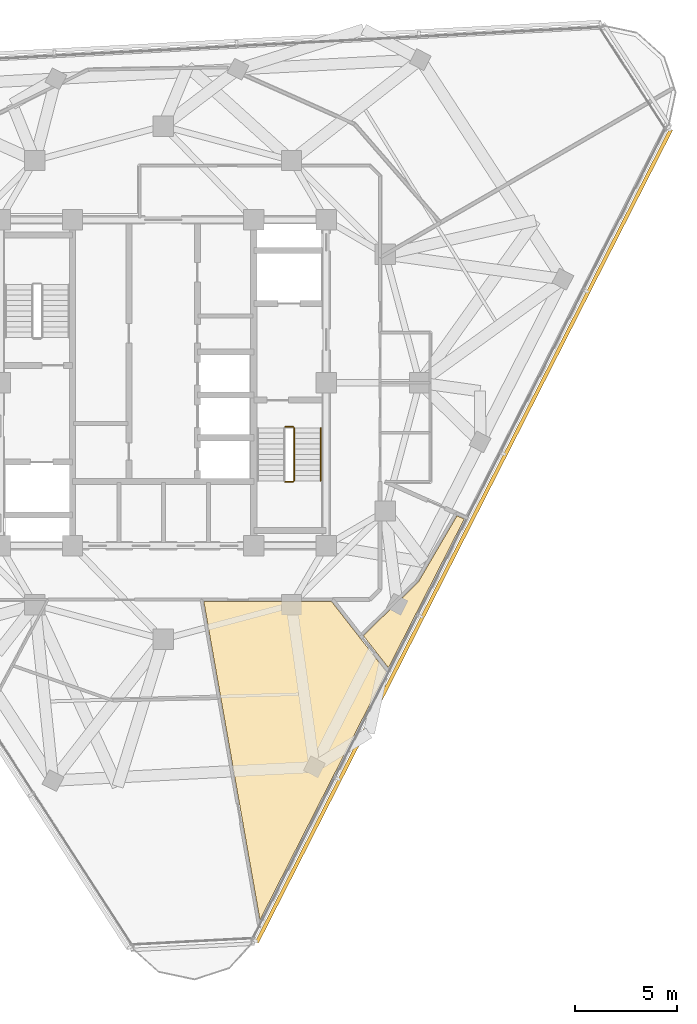
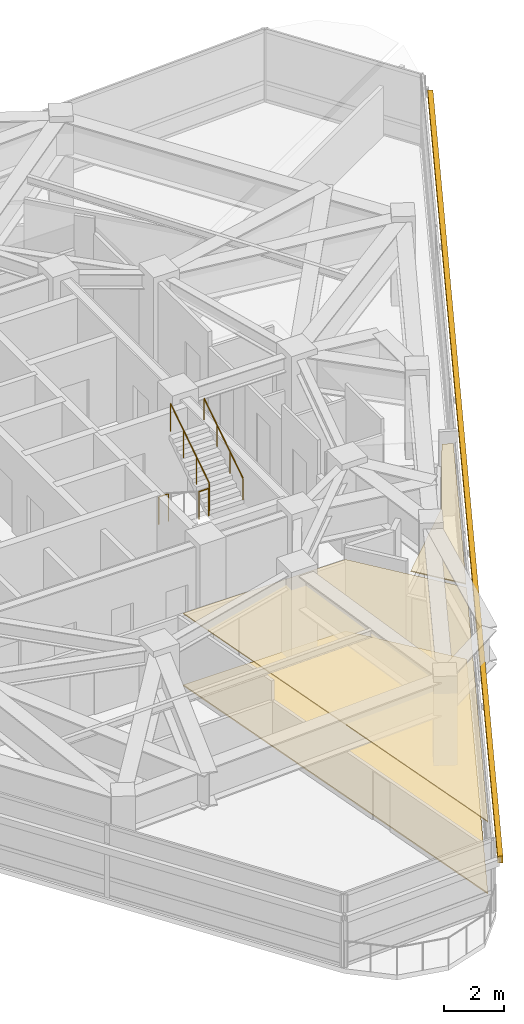
# One storey, part 13 of 15: 4 railings, 3 coverings, 1 shading device.
"""IFC4 building model written with IfcOpenShell, lengths in metres."""

from ifc_helpers import new_model, si_unit, direction, frame, origin, origin_2d, place, context, subcontext, project, spatial, polyline, rectangle, circle, outline, extrude, material, layer, layer_set, type_object, element, save


model = new_model("IFC4")

# Units and contexts
model_context = context("Model", 3, precision=1e-05, world=origin(), true_north=direction((0.0, 1.0)))
body_context = subcontext(model_context, "Body", "Model", "MODEL_VIEW")
ifc_project = project(units=[si_unit("LENGTHUNIT", "METRE"), si_unit("AREAUNIT", "SQUARE_METRE"), si_unit("VOLUMEUNIT", "CUBIC_METRE"), si_unit("PLANEANGLEUNIT", "RADIAN"), si_unit("MASSUNIT", "GRAM", prefix="KILO")], contexts=[model_context])

# Site, building, storey
site_placement = place(None, origin())
site = spatial("IfcSite", under=ifc_project, at=site_placement, CompositionType="ELEMENT")
building_placement = place(site_placement, origin())
building = spatial("IfcBuilding", under=site, at=building_placement, Name="Terralouvre Media Tower", CompositionType="ELEMENT")
storey_placement = place(building_placement, frame((0.0, 0.0, 274.39990234375)))
storey = spatial("IfcBuildingStorey", under=building, at=storey_placement, Name="L71", CompositionType="ELEMENT", Elevation=274.39990234375)

# Coverings
ifc_material_1 = material(Name="Resilient elastomer acoustic broadcast studio flooring")
ifc_layer_1 = layer(ifc_material_1, 0.050048828125, Name="Broadcast Studio Acoustic Floating Floor FL-AC1")
ifc_layer_set_1 = layer_set([ifc_layer_1], Name="Resilient elastomer acoustic broadcast studio flooring")
covering_type_1 = type_object("IfcCoveringType", Name="Broadcast Studio Acoustic Floating Floor FL-AC1", PredefinedType="FLOORING", material=ifc_layer_set_1)
covering_1_placement = place(storey_placement, frame((0.0, 0.0, 0.0), z_axis=(0.0, 0.0, 1.0), x_axis=(0.45399049974, 0.891006524188, 0.0)))
element("IfcCovering", 1, at=covering_1_placement, inside=storey, type_object=covering_type_1, Name="L71 Director Master Control Room 4 Acoustic Floating Floor", PredefinedType="FLOORING", context=body_context, shape_type="SweptSolid", body=[
    extrude(outline(polyline([(-5.82275390625, -12.2509765625), (-8.671630859375, -6.659912109375), (-12.5029296875, -9.54736328125), (-21.3486328125, -16.212890625), (-7.670166015625, -16.212158203125), (-6.7470703125, -14.2314453125), (-5.82275390625, -12.2509765625)])), origin(), (0.0, 0.0, 1.0), 0.050048828125),
])
ifc_material_2 = material(Name="Perforated aluminium acoustic ceiling baffle", Category="aluminium")
ifc_layer_2 = layer(ifc_material_2, 0.0400390625, Name="Perforated Acoustic Metal Tile Ceiling CL-AC1")
ifc_layer_set_2 = layer_set([ifc_layer_2], Name="Perforated aluminium acoustic ceiling baffle")
covering_type_2 = type_object("IfcCoveringType", Name="Perforated Acoustic Metal Tile Ceiling CL-AC1", PredefinedType="CEILING", material=ifc_layer_set_2)
covering_2_placement = place(storey_placement, frame((0.0, 0.0, 2.940185546875), z_axis=(0.0, 0.0, 1.0), x_axis=(0.45399049974, 0.891006524188, 0.0)))
element("IfcCovering", 2, at=covering_2_placement, inside=storey, type_object=covering_type_2, Name="L71 Director Master Control Room 4 Acoustic Ceiling", PredefinedType="CEILING", context=body_context, shape_type="SweptSolid", body=[
    extrude(outline(polyline([(-5.82275390625, -12.2509765625), (-8.671630859375, -6.659912109375), (-12.5029296875, -9.54736328125), (-21.3486328125, -16.212890625), (-7.670166015625, -16.212158203125), (-6.7470703125, -14.2314453125), (-5.82275390625, -12.2509765625)])), origin(), (0.0, 0.0, 1.0), 0.039794921875),
])
covering_3_placement = place(storey_placement, frame((0.0, 0.0, 2.940185546875), z_axis=(0.0, 0.0, 1.0), x_axis=(0.45399049974, 0.891006524188, 0.0)))
element("IfcCovering", 3, at=covering_3_placement, inside=storey, type_object=covering_type_2, Name="L71 Broadcast Floor Crew Room 5 Acoustic Ceiling", PredefinedType="CEILING", context=body_context, shape_type="SweptSolid", body=[
    extrude(outline(polyline([(-3.019775390625, -15.60986328125), (-3.02880859375, -15.60888671875), (-3.037841796875, -15.607177734375), (-3.04638671875, -15.6044921875), (-6.603759765625, -14.397216796875), (-7.449462890625, -16.212158203125), (0.749755859375, -16.212646484375), (0.72900390625, -15.82275390625), (-3.019775390625, -15.60986328125)])), origin(), (0.0, 0.0, 1.0), 0.039794921875),
])

# Railings
ifc_material_3 = material(Name="Stainless steel 316 handrail and balustrade", Category="steel")
ifc_layer_3 = layer(ifc_material_3, 0.050048828125, Name="Stair Flight Wall Handrail HR-INT1")
ifc_layer_set_3 = layer_set([ifc_layer_3], Name="Stainless steel 316 handrail and balustrade")
railing_type_1 = type_object("IfcRailingType", Name="Stair Flight Wall Handrail HR-INT1", PredefinedType="HANDRAIL", material=ifc_layer_set_3)
railing_1_placement = place(storey_placement, frame((7.72998046875, -4.820068359375, 2.018310546875)))
element("IfcRailing", 4, at=railing_1_placement, inside=storey, type_object=railing_type_1, Name="L71 ST-02 stair handrail 2", PredefinedType="HANDRAIL", context=body_context, shape_type="SweptSolid", body=[
    extrude(circle(Radius=0.02392578125, at=origin_2d()), frame((0.0, 0.0, 0.8759765625), z_axis=(0.0, 0.839648411786, 0.543130320075), x_axis=(-1.0, 0.0, 0.0)), (0.0, 0.0, 1.0), 3.0966796875),
    extrude(circle(Radius=0.02099609375, at=origin_2d()), origin(), (0.0, 0.0, 1.0), 0.851806640625),
    extrude(circle(Radius=0.02099609375, at=origin_2d()), frame((0.0, 0.86669921875, 0.560546875)), (0.0, 0.0, 1.0), 0.851806640625),
    extrude(circle(Radius=0.02099609375, at=origin_2d()), frame((0.0, 1.7333984375, 1.121337890625)), (0.0, 0.0, 1.0), 0.851806640625),
    extrude(circle(Radius=0.02099609375, at=origin_2d()), frame((0.0, 2.60009765625, 1.681884765625)), (0.0, 0.0, 1.0), 0.851806640625),
])
ifc_material_4 = material(Name="Stainless steel 316 handrail and balustrade", Category="steel")
ifc_layer_4 = layer(ifc_material_4, 0.050048828125, Name="Stairwell Safety Guardrail GR-INT1")
ifc_layer_set_4 = layer_set([ifc_layer_4], Name="Stainless steel 316 handrail and balustrade")
railing_type_2 = type_object("IfcRailingType", Name="Stairwell Safety Guardrail GR-INT1", PredefinedType="GUARDRAIL", material=ifc_layer_set_4)
railing_2_placement = place(storey_placement, frame((6.0, -4.8701171875, 1.85009765625)))
element("IfcRailing", 5, at=railing_2_placement, inside=storey, type_object=railing_type_2, Name="L71 ST-02 stair guard 2", PredefinedType="GUARDRAIL", context=body_context, shape_type="SweptSolid", body=[
    extrude(circle(Radius=0.02392578125, at=origin_2d()), frame((0.0, 0.0, 1.1259765625), z_axis=(1.0, 0.0, 0.0), x_axis=(0.0, 1.0, 0.0)), (0.0, 0.0, 1.0), 0.3798828125),
    extrude(circle(Radius=0.02099609375, at=origin_2d()), origin(), (0.0, 0.0, 1.0), 1.101806640625),
    extrude(circle(Radius=0.02099609375, at=origin_2d()), frame((0.3798828125, 0.0, 0.0)), (0.0, 0.0, 1.0), 1.101806640625),
])
railing_3_placement = place(storey_placement, frame((6.429931640625, -4.820068359375, 2.018310546875)))
element("IfcRailing", 6, at=railing_3_placement, inside=storey, type_object=railing_type_2, Name="L71 ST-02 stair guard 3", PredefinedType="GUARDRAIL", context=body_context, shape_type="SweptSolid", body=[
    extrude(circle(Radius=0.02392578125, at=origin_2d()), frame((0.0, 0.0, 1.1259765625), z_axis=(0.0, 0.839648411786, 0.543130320075), x_axis=(-1.0, 0.0, 0.0)), (0.0, 0.0, 1.0), 3.0966796875),
    extrude(circle(Radius=0.02099609375, at=origin_2d()), origin(), (0.0, 0.0, 1.0), 1.101806640625),
    extrude(circle(Radius=0.02099609375, at=origin_2d()), frame((0.0, 0.86669921875, 0.560546875)), (0.0, 0.0, 1.0), 1.101806640625),
    extrude(circle(Radius=0.02099609375, at=origin_2d()), frame((0.0, 1.7333984375, 1.121337890625)), (0.0, 0.0, 1.0), 1.101806640625),
    extrude(circle(Radius=0.02099609375, at=origin_2d()), frame((0.0, 2.60009765625, 1.681884765625)), (0.0, 0.0, 1.0), 1.101806640625),
])
railing_4_placement = place(storey_placement, frame((6.0, -2.169921875, 0.0)))
element("IfcRailing", 7, at=railing_4_placement, inside=storey, type_object=railing_type_2, Name="L71 ST-02 stair guard 4", PredefinedType="GUARDRAIL", context=body_context, shape_type="SweptSolid", body=[
    extrude(circle(Radius=0.02392578125, at=origin_2d()), frame((0.0, 0.0, 1.1259765625), z_axis=(1.0, 0.0, 0.0), x_axis=(0.0, 1.0, 0.0)), (0.0, 0.0, 1.0), 0.3798828125),
    extrude(circle(Radius=0.02099609375, at=origin_2d()), origin(), (0.0, 0.0, 1.0), 1.101806640625),
    extrude(circle(Radius=0.02099609375, at=origin_2d()), frame((0.3798828125, 0.0, 0.0)), (0.0, 0.0, 1.0), 1.101806640625),
])

# Shading device
ifc_material_5 = material(Name="Extruded terracotta baguette sunshade louvres", Category="masonry")
shading_device_type = type_object("IfcShadingDeviceType", Name="Terracotta Baguette Sunshade Louvre Screen TB-LV1", PredefinedType="USERDEFINED", material=ifc_material_5)
shading_device_placement = place(storey_placement, frame((14.766357421875, -7.52392578125, 1.99951171875), z_axis=(0.0, 0.0, 1.0), x_axis=(0.45399044259, 0.891006553308, 0.0)))
element("IfcShadingDevice", 8, at=shading_device_placement, inside=storey, type_object=shading_device_type, Name="CW-L71-F0 Terracotta Baguette Sunshade Louvre", ObjectType="BAGUETTE", PredefinedType="USERDEFINED", context=body_context, shape_type="SweptSolid", body=[
    extrude(rectangle(XDim=44.800048828125, YDim=0.179931640625, at=origin_2d()), origin(), (0.0, 0.0, 1.0), 0.280029296875),
])

save(model, "model.ifc")
